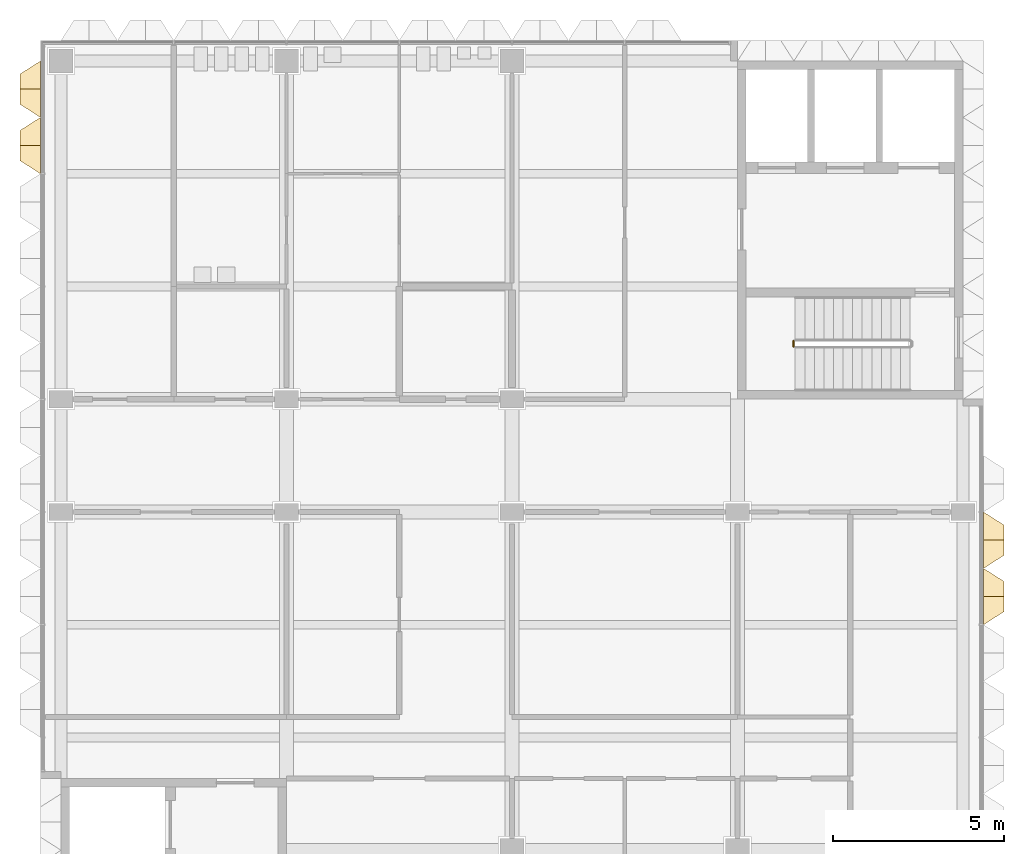
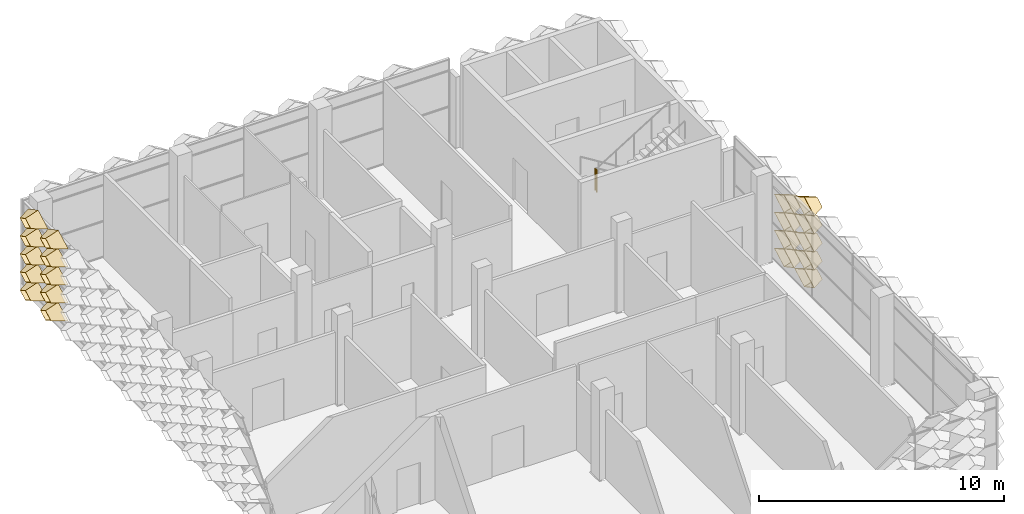
# One storey, part 22 of 29: 19 coverings, 1 railing.
"""IFC4 building model written with IfcOpenShell, lengths in metres."""

from ifc_helpers import new_model, entity, si_unit, direction, frame, origin, origin_2d, place, context, subcontext, project, spatial, circle, extrude, material, layer, layer_set, type_object, element, save


model = new_model("IFC4")

# Units and contexts
model_context = context("Model", 3, precision=1e-05, world=origin(), true_north=direction((0.0, 1.0)))
body_context = subcontext(model_context, "Body", "Model", "MODEL_VIEW")
ifc_project = project(units=[si_unit("LENGTHUNIT", "METRE"), si_unit("AREAUNIT", "SQUARE_METRE"), si_unit("VOLUMEUNIT", "CUBIC_METRE"), si_unit("PLANEANGLEUNIT", "RADIAN"), si_unit("MASSUNIT", "GRAM", prefix="KILO")], contexts=[model_context])

# Site, building, storey
site_placement = place(None, origin())
site = spatial("IfcSite", under=ifc_project, at=site_placement, CompositionType="ELEMENT")
building_placement = place(site_placement, origin())
building = spatial("IfcBuilding", under=site, at=building_placement, Name="Lantern Court Research Institute", CompositionType="ELEMENT")
storey_placement = place(building_placement, frame((0.0, 0.0, 32.39990234375)))
storey = spatial("IfcBuildingStorey", under=building, at=storey_placement, Name="L07", CompositionType="ELEMENT", Elevation=32.39990234375)

# Coverings
ifc_material_1 = material(Name="Anodised aluminium", Category="aluminium")
ifc_layer = layer(ifc_material_1, 0.01611328125)
ifc_layer_set = layer_set([ifc_layer], Name="Anodised aluminium")
covering_type = type_object("IfcCoveringType", Name="Fin cassette 1650 x 900 x 600 aluminium", PredefinedType="CLADDING", material=ifc_layer_set)
covering_1_placement = place(storey_placement, frame((79.800048828125, 7.425048828125, 0.4501953125), z_axis=(1.0, 0.0, 0.0), x_axis=(0.0, 1.0, 0.0)))
cartesian_point_1 = entity("IfcCartesianPoint", [0.824951171875, 0.0])
cartesian_point_2 = entity("IfcCartesianPoint", [0.79150390625, 0.0])
cartesian_point_3 = entity("IfcCartesianPoint", [0.44189453125, 0.0])
cartesian_point_4 = entity("IfcCartesianPoint", [0.43359375, 0.0])
element("IfcCovering", 1, at=covering_1_placement, inside=storey, type_object=covering_type, Name="Fin cassette V5E-L07 1.5", PredefinedType="CLADDING", context=body_context, shape_type="SweptSolid", body=[
    entity("IfcExtrudedAreaSolidTapered", entity("IfcArbitraryProfileDefWithVoids", "AREA", None, entity("IfcPolyline", [cartesian_point_1, entity("IfcCartesianPoint", [0.0, 0.449951171875]), entity("IfcCartesianPoint", [-0.824951171875, 0.0]), entity("IfcCartesianPoint", [0.0, -0.449951171875]), cartesian_point_1]), [entity("IfcPolyline", [cartesian_point_2, entity("IfcCartesianPoint", [0.0, 0.431884765625]), entity("IfcCartesianPoint", [-0.79150390625, 0.0]), entity("IfcCartesianPoint", [0.0, -0.431884765625]), cartesian_point_2])]), entity("IfcAxis2Placement3D", entity("IfcCartesianPoint", [0.0, 0.0, 0.0])), entity("IfcDirection", [0.0, 0.0, 1.0]), 0.60009765625, entity("IfcArbitraryProfileDefWithVoids", "AREA", None, entity("IfcPolyline", [cartesian_point_3, entity("IfcCartesianPoint", [0.0, 0.240966796875]), entity("IfcCartesianPoint", [-0.44189453125, 0.0]), entity("IfcCartesianPoint", [0.0, -0.240966796875]), cartesian_point_3]), [entity("IfcPolyline", [cartesian_point_4, entity("IfcCartesianPoint", [0.0, 0.236572265625]), entity("IfcCartesianPoint", [-0.43359375, 0.0]), entity("IfcCartesianPoint", [0.0, -0.236572265625]), cartesian_point_4])])),
])
covering_2_placement = place(storey_placement, frame((79.800048828125, 9.074951171875, 0.4501953125), z_axis=(1.0, 0.0, 0.0), x_axis=(0.0, 1.0, 0.0)))
cartesian_point_5 = entity("IfcCartesianPoint", [0.824951171875, 0.0])
cartesian_point_6 = entity("IfcCartesianPoint", [0.79150390625, 0.0])
cartesian_point_7 = entity("IfcCartesianPoint", [0.44189453125, 0.0])
cartesian_point_8 = entity("IfcCartesianPoint", [0.43359375, 0.0])
element("IfcCovering", 2, at=covering_2_placement, inside=storey, type_object=covering_type, Name="Fin cassette V5E-L07 1.6", PredefinedType="CLADDING", context=body_context, shape_type="SweptSolid", body=[
    entity("IfcExtrudedAreaSolidTapered", entity("IfcArbitraryProfileDefWithVoids", "AREA", None, entity("IfcPolyline", [cartesian_point_5, entity("IfcCartesianPoint", [0.0, 0.449951171875]), entity("IfcCartesianPoint", [-0.824951171875, 0.0]), entity("IfcCartesianPoint", [0.0, -0.449951171875]), cartesian_point_5]), [entity("IfcPolyline", [cartesian_point_6, entity("IfcCartesianPoint", [0.0, 0.431884765625]), entity("IfcCartesianPoint", [-0.79150390625, 0.0]), entity("IfcCartesianPoint", [0.0, -0.431884765625]), cartesian_point_6])]), entity("IfcAxis2Placement3D", entity("IfcCartesianPoint", [0.0, 0.0, 0.0])), entity("IfcDirection", [0.0, 0.0, 1.0]), 0.60009765625, entity("IfcArbitraryProfileDefWithVoids", "AREA", None, entity("IfcPolyline", [cartesian_point_7, entity("IfcCartesianPoint", [0.0, 0.240966796875]), entity("IfcCartesianPoint", [-0.44189453125, 0.0]), entity("IfcCartesianPoint", [0.0, -0.240966796875]), cartesian_point_7]), [entity("IfcPolyline", [cartesian_point_8, entity("IfcCartesianPoint", [0.0, 0.236572265625]), entity("IfcCartesianPoint", [-0.43359375, 0.0]), entity("IfcCartesianPoint", [0.0, -0.236572265625]), cartesian_point_8])])),
])
covering_3_placement = place(storey_placement, frame((79.800048828125, 7.425048828125, 1.35009765625), z_axis=(1.0, 0.0, 0.0), x_axis=(0.0, 1.0, 0.0)))
cartesian_point_9 = entity("IfcCartesianPoint", [0.824951171875, 0.0])
cartesian_point_10 = entity("IfcCartesianPoint", [0.79150390625, 0.0])
cartesian_point_11 = entity("IfcCartesianPoint", [0.44189453125, 0.0])
cartesian_point_12 = entity("IfcCartesianPoint", [0.43359375, 0.0])
element("IfcCovering", 3, at=covering_3_placement, inside=storey, type_object=covering_type, Name="Fin cassette V5E-L07 2.5", PredefinedType="CLADDING", context=body_context, shape_type="SweptSolid", body=[
    entity("IfcExtrudedAreaSolidTapered", entity("IfcArbitraryProfileDefWithVoids", "AREA", None, entity("IfcPolyline", [cartesian_point_9, entity("IfcCartesianPoint", [0.0, 0.449951171875]), entity("IfcCartesianPoint", [-0.824951171875, 0.0]), entity("IfcCartesianPoint", [0.0, -0.449951171875]), cartesian_point_9]), [entity("IfcPolyline", [cartesian_point_10, entity("IfcCartesianPoint", [0.0, 0.431884765625]), entity("IfcCartesianPoint", [-0.79150390625, 0.0]), entity("IfcCartesianPoint", [0.0, -0.431884765625]), cartesian_point_10])]), entity("IfcAxis2Placement3D", entity("IfcCartesianPoint", [0.0, 0.0, 0.0])), entity("IfcDirection", [0.0, 0.0, 1.0]), 0.60009765625, entity("IfcArbitraryProfileDefWithVoids", "AREA", None, entity("IfcPolyline", [cartesian_point_11, entity("IfcCartesianPoint", [0.0, 0.240966796875]), entity("IfcCartesianPoint", [-0.44189453125, 0.0]), entity("IfcCartesianPoint", [0.0, -0.240966796875]), cartesian_point_11]), [entity("IfcPolyline", [cartesian_point_12, entity("IfcCartesianPoint", [0.0, 0.236572265625]), entity("IfcCartesianPoint", [-0.43359375, 0.0]), entity("IfcCartesianPoint", [0.0, -0.236572265625]), cartesian_point_12])])),
])
covering_4_placement = place(storey_placement, frame((79.800048828125, 9.074951171875, 1.35009765625), z_axis=(1.0, 0.0, 0.0), x_axis=(0.0, 1.0, 0.0)))
cartesian_point_13 = entity("IfcCartesianPoint", [0.824951171875, 0.0])
cartesian_point_14 = entity("IfcCartesianPoint", [0.79150390625, 0.0])
cartesian_point_15 = entity("IfcCartesianPoint", [0.44189453125, 0.0])
cartesian_point_16 = entity("IfcCartesianPoint", [0.43359375, 0.0])
element("IfcCovering", 4, at=covering_4_placement, inside=storey, type_object=covering_type, Name="Fin cassette V5E-L07 2.6", PredefinedType="CLADDING", context=body_context, shape_type="SweptSolid", body=[
    entity("IfcExtrudedAreaSolidTapered", entity("IfcArbitraryProfileDefWithVoids", "AREA", None, entity("IfcPolyline", [cartesian_point_13, entity("IfcCartesianPoint", [0.0, 0.449951171875]), entity("IfcCartesianPoint", [-0.824951171875, 0.0]), entity("IfcCartesianPoint", [0.0, -0.449951171875]), cartesian_point_13]), [entity("IfcPolyline", [cartesian_point_14, entity("IfcCartesianPoint", [0.0, 0.431884765625]), entity("IfcCartesianPoint", [-0.79150390625, 0.0]), entity("IfcCartesianPoint", [0.0, -0.431884765625]), cartesian_point_14])]), entity("IfcAxis2Placement3D", entity("IfcCartesianPoint", [0.0, 0.0, 0.0])), entity("IfcDirection", [0.0, 0.0, 1.0]), 0.60009765625, entity("IfcArbitraryProfileDefWithVoids", "AREA", None, entity("IfcPolyline", [cartesian_point_15, entity("IfcCartesianPoint", [0.0, 0.240966796875]), entity("IfcCartesianPoint", [-0.44189453125, 0.0]), entity("IfcCartesianPoint", [0.0, -0.240966796875]), cartesian_point_15]), [entity("IfcPolyline", [cartesian_point_16, entity("IfcCartesianPoint", [0.0, 0.236572265625]), entity("IfcCartesianPoint", [-0.43359375, 0.0]), entity("IfcCartesianPoint", [0.0, -0.236572265625]), cartesian_point_16])])),
])
covering_5_placement = place(storey_placement, frame((79.800048828125, 7.425048828125, 2.25), z_axis=(1.0, 0.0, 0.0), x_axis=(0.0, 1.0, 0.0)))
cartesian_point_17 = entity("IfcCartesianPoint", [0.824951171875, 0.0])
cartesian_point_18 = entity("IfcCartesianPoint", [0.79150390625, 0.0])
cartesian_point_19 = entity("IfcCartesianPoint", [0.44189453125, 0.0])
cartesian_point_20 = entity("IfcCartesianPoint", [0.43359375, 0.0])
element("IfcCovering", 5, at=covering_5_placement, inside=storey, type_object=covering_type, Name="Fin cassette V5E-L07 3.5", PredefinedType="CLADDING", context=body_context, shape_type="SweptSolid", body=[
    entity("IfcExtrudedAreaSolidTapered", entity("IfcArbitraryProfileDefWithVoids", "AREA", None, entity("IfcPolyline", [cartesian_point_17, entity("IfcCartesianPoint", [0.0, 0.449951171875]), entity("IfcCartesianPoint", [-0.824951171875, 0.0]), entity("IfcCartesianPoint", [0.0, -0.449951171875]), cartesian_point_17]), [entity("IfcPolyline", [cartesian_point_18, entity("IfcCartesianPoint", [0.0, 0.431884765625]), entity("IfcCartesianPoint", [-0.79150390625, 0.0]), entity("IfcCartesianPoint", [0.0, -0.431884765625]), cartesian_point_18])]), entity("IfcAxis2Placement3D", entity("IfcCartesianPoint", [0.0, 0.0, 0.0])), entity("IfcDirection", [0.0, 0.0, 1.0]), 0.60009765625, entity("IfcArbitraryProfileDefWithVoids", "AREA", None, entity("IfcPolyline", [cartesian_point_19, entity("IfcCartesianPoint", [0.0, 0.240966796875]), entity("IfcCartesianPoint", [-0.44189453125, 0.0]), entity("IfcCartesianPoint", [0.0, -0.240966796875]), cartesian_point_19]), [entity("IfcPolyline", [cartesian_point_20, entity("IfcCartesianPoint", [0.0, 0.236572265625]), entity("IfcCartesianPoint", [-0.43359375, 0.0]), entity("IfcCartesianPoint", [0.0, -0.236572265625]), cartesian_point_20])])),
])
covering_6_placement = place(storey_placement, frame((79.800048828125, 9.074951171875, 2.25), z_axis=(1.0, 0.0, 0.0), x_axis=(0.0, 1.0, 0.0)))
cartesian_point_21 = entity("IfcCartesianPoint", [0.824951171875, 0.0])
cartesian_point_22 = entity("IfcCartesianPoint", [0.79150390625, 0.0])
cartesian_point_23 = entity("IfcCartesianPoint", [0.44189453125, 0.0])
cartesian_point_24 = entity("IfcCartesianPoint", [0.43359375, 0.0])
element("IfcCovering", 6, at=covering_6_placement, inside=storey, type_object=covering_type, Name="Fin cassette V5E-L07 3.6", PredefinedType="CLADDING", context=body_context, shape_type="SweptSolid", body=[
    entity("IfcExtrudedAreaSolidTapered", entity("IfcArbitraryProfileDefWithVoids", "AREA", None, entity("IfcPolyline", [cartesian_point_21, entity("IfcCartesianPoint", [0.0, 0.449951171875]), entity("IfcCartesianPoint", [-0.824951171875, 0.0]), entity("IfcCartesianPoint", [0.0, -0.449951171875]), cartesian_point_21]), [entity("IfcPolyline", [cartesian_point_22, entity("IfcCartesianPoint", [0.0, 0.431884765625]), entity("IfcCartesianPoint", [-0.79150390625, 0.0]), entity("IfcCartesianPoint", [0.0, -0.431884765625]), cartesian_point_22])]), entity("IfcAxis2Placement3D", entity("IfcCartesianPoint", [0.0, 0.0, 0.0])), entity("IfcDirection", [0.0, 0.0, 1.0]), 0.60009765625, entity("IfcArbitraryProfileDefWithVoids", "AREA", None, entity("IfcPolyline", [cartesian_point_23, entity("IfcCartesianPoint", [0.0, 0.240966796875]), entity("IfcCartesianPoint", [-0.44189453125, 0.0]), entity("IfcCartesianPoint", [0.0, -0.240966796875]), cartesian_point_23]), [entity("IfcPolyline", [cartesian_point_24, entity("IfcCartesianPoint", [0.0, 0.236572265625]), entity("IfcCartesianPoint", [-0.43359375, 0.0]), entity("IfcCartesianPoint", [0.0, -0.236572265625]), cartesian_point_24])])),
])
covering_7_placement = place(storey_placement, frame((79.800048828125, 7.425048828125, 3.150146484375), z_axis=(1.0, 0.0, 0.0), x_axis=(0.0, 1.0, 0.0)))
cartesian_point_25 = entity("IfcCartesianPoint", [0.824951171875, 0.0])
cartesian_point_26 = entity("IfcCartesianPoint", [0.79150390625, 0.0])
cartesian_point_27 = entity("IfcCartesianPoint", [0.44189453125, 0.0])
cartesian_point_28 = entity("IfcCartesianPoint", [0.43359375, 0.0])
element("IfcCovering", 7, at=covering_7_placement, inside=storey, type_object=covering_type, Name="Fin cassette V5E-L07 4.5", PredefinedType="CLADDING", context=body_context, shape_type="SweptSolid", body=[
    entity("IfcExtrudedAreaSolidTapered", entity("IfcArbitraryProfileDefWithVoids", "AREA", None, entity("IfcPolyline", [cartesian_point_25, entity("IfcCartesianPoint", [0.0, 0.449951171875]), entity("IfcCartesianPoint", [-0.824951171875, 0.0]), entity("IfcCartesianPoint", [0.0, -0.449951171875]), cartesian_point_25]), [entity("IfcPolyline", [cartesian_point_26, entity("IfcCartesianPoint", [0.0, 0.431884765625]), entity("IfcCartesianPoint", [-0.79150390625, 0.0]), entity("IfcCartesianPoint", [0.0, -0.431884765625]), cartesian_point_26])]), entity("IfcAxis2Placement3D", entity("IfcCartesianPoint", [0.0, 0.0, 0.0])), entity("IfcDirection", [0.0, 0.0, 1.0]), 0.60009765625, entity("IfcArbitraryProfileDefWithVoids", "AREA", None, entity("IfcPolyline", [cartesian_point_27, entity("IfcCartesianPoint", [0.0, 0.240966796875]), entity("IfcCartesianPoint", [-0.44189453125, 0.0]), entity("IfcCartesianPoint", [0.0, -0.240966796875]), cartesian_point_27]), [entity("IfcPolyline", [cartesian_point_28, entity("IfcCartesianPoint", [0.0, 0.236572265625]), entity("IfcCartesianPoint", [-0.43359375, 0.0]), entity("IfcCartesianPoint", [0.0, -0.236572265625]), cartesian_point_28])])),
])
covering_8_placement = place(storey_placement, frame((79.800048828125, 9.074951171875, 3.150146484375), z_axis=(1.0, 0.0, 0.0), x_axis=(0.0, 1.0, 0.0)))
cartesian_point_29 = entity("IfcCartesianPoint", [0.824951171875, 0.0])
cartesian_point_30 = entity("IfcCartesianPoint", [0.79150390625, 0.0])
cartesian_point_31 = entity("IfcCartesianPoint", [0.44189453125, 0.0])
cartesian_point_32 = entity("IfcCartesianPoint", [0.43359375, 0.0])
element("IfcCovering", 8, at=covering_8_placement, inside=storey, type_object=covering_type, Name="Fin cassette V5E-L07 4.6", PredefinedType="CLADDING", context=body_context, shape_type="SweptSolid", body=[
    entity("IfcExtrudedAreaSolidTapered", entity("IfcArbitraryProfileDefWithVoids", "AREA", None, entity("IfcPolyline", [cartesian_point_29, entity("IfcCartesianPoint", [0.0, 0.449951171875]), entity("IfcCartesianPoint", [-0.824951171875, 0.0]), entity("IfcCartesianPoint", [0.0, -0.449951171875]), cartesian_point_29]), [entity("IfcPolyline", [cartesian_point_30, entity("IfcCartesianPoint", [0.0, 0.431884765625]), entity("IfcCartesianPoint", [-0.79150390625, 0.0]), entity("IfcCartesianPoint", [0.0, -0.431884765625]), cartesian_point_30])]), entity("IfcAxis2Placement3D", entity("IfcCartesianPoint", [0.0, 0.0, 0.0])), entity("IfcDirection", [0.0, 0.0, 1.0]), 0.60009765625, entity("IfcArbitraryProfileDefWithVoids", "AREA", None, entity("IfcPolyline", [cartesian_point_31, entity("IfcCartesianPoint", [0.0, 0.240966796875]), entity("IfcCartesianPoint", [-0.44189453125, 0.0]), entity("IfcCartesianPoint", [0.0, -0.240966796875]), cartesian_point_31]), [entity("IfcPolyline", [cartesian_point_32, entity("IfcCartesianPoint", [0.0, 0.236572265625]), entity("IfcCartesianPoint", [-0.43359375, 0.0]), entity("IfcCartesianPoint", [0.0, -0.236572265625]), cartesian_point_32])])),
])
covering_9_placement = place(storey_placement, frame((79.800048828125, 7.425048828125, 4.050048828125), z_axis=(1.0, 0.0, 0.0), x_axis=(0.0, 1.0, 0.0)))
cartesian_point_33 = entity("IfcCartesianPoint", [0.824951171875, 0.0])
cartesian_point_34 = entity("IfcCartesianPoint", [0.79150390625, 0.0])
cartesian_point_35 = entity("IfcCartesianPoint", [0.44189453125, 0.0])
cartesian_point_36 = entity("IfcCartesianPoint", [0.43359375, 0.0])
element("IfcCovering", 9, at=covering_9_placement, inside=storey, type_object=covering_type, Name="Fin cassette V5E-L07 5.5", PredefinedType="CLADDING", context=body_context, shape_type="SweptSolid", body=[
    entity("IfcExtrudedAreaSolidTapered", entity("IfcArbitraryProfileDefWithVoids", "AREA", None, entity("IfcPolyline", [cartesian_point_33, entity("IfcCartesianPoint", [0.0, 0.449951171875]), entity("IfcCartesianPoint", [-0.824951171875, 0.0]), entity("IfcCartesianPoint", [0.0, -0.449951171875]), cartesian_point_33]), [entity("IfcPolyline", [cartesian_point_34, entity("IfcCartesianPoint", [0.0, 0.431884765625]), entity("IfcCartesianPoint", [-0.79150390625, 0.0]), entity("IfcCartesianPoint", [0.0, -0.431884765625]), cartesian_point_34])]), entity("IfcAxis2Placement3D", entity("IfcCartesianPoint", [0.0, 0.0, 0.0])), entity("IfcDirection", [0.0, 0.0, 1.0]), 0.60009765625, entity("IfcArbitraryProfileDefWithVoids", "AREA", None, entity("IfcPolyline", [cartesian_point_35, entity("IfcCartesianPoint", [0.0, 0.240966796875]), entity("IfcCartesianPoint", [-0.44189453125, 0.0]), entity("IfcCartesianPoint", [0.0, -0.240966796875]), cartesian_point_35]), [entity("IfcPolyline", [cartesian_point_36, entity("IfcCartesianPoint", [0.0, 0.236572265625]), entity("IfcCartesianPoint", [-0.43359375, 0.0]), entity("IfcCartesianPoint", [0.0, -0.236572265625]), cartesian_point_36])])),
])
covering_10_placement = place(storey_placement, frame((52.199951171875, 20.625, 0.4501953125), z_axis=(-1.0, 0.0, 0.0), x_axis=(0.0, -1.0, 0.0)))
cartesian_point_37 = entity("IfcCartesianPoint", [0.824951171875, 0.0])
cartesian_point_38 = entity("IfcCartesianPoint", [0.79150390625, 0.0])
cartesian_point_39 = entity("IfcCartesianPoint", [0.44189453125, 0.0])
cartesian_point_40 = entity("IfcCartesianPoint", [0.43359375, 0.0])
element("IfcCovering", 10, at=covering_10_placement, inside=storey, type_object=covering_type, Name="Fin cassette V5W-L07 1.13", PredefinedType="CLADDING", context=body_context, shape_type="SweptSolid", body=[
    entity("IfcExtrudedAreaSolidTapered", entity("IfcArbitraryProfileDefWithVoids", "AREA", None, entity("IfcPolyline", [cartesian_point_37, entity("IfcCartesianPoint", [0.0, 0.449951171875]), entity("IfcCartesianPoint", [-0.824951171875, 0.0]), entity("IfcCartesianPoint", [0.0, -0.449951171875]), cartesian_point_37]), [entity("IfcPolyline", [cartesian_point_38, entity("IfcCartesianPoint", [0.0, 0.431884765625]), entity("IfcCartesianPoint", [-0.79150390625, 0.0]), entity("IfcCartesianPoint", [0.0, -0.431884765625]), cartesian_point_38])]), entity("IfcAxis2Placement3D", entity("IfcCartesianPoint", [0.0, 0.0, 0.0])), entity("IfcDirection", [0.0, 0.0, 1.0]), 0.60009765625, entity("IfcArbitraryProfileDefWithVoids", "AREA", None, entity("IfcPolyline", [cartesian_point_39, entity("IfcCartesianPoint", [0.0, 0.240966796875]), entity("IfcCartesianPoint", [-0.44189453125, 0.0]), entity("IfcCartesianPoint", [0.0, -0.240966796875]), cartesian_point_39]), [entity("IfcPolyline", [cartesian_point_40, entity("IfcCartesianPoint", [0.0, 0.236572265625]), entity("IfcCartesianPoint", [-0.43359375, 0.0]), entity("IfcCartesianPoint", [0.0, -0.236572265625]), cartesian_point_40])])),
])
covering_11_placement = place(storey_placement, frame((52.199951171875, 22.27490234375, 0.4501953125), z_axis=(-1.0, 0.0, 0.0), x_axis=(0.0, -1.0, 0.0)))
cartesian_point_41 = entity("IfcCartesianPoint", [0.824951171875, 0.0])
cartesian_point_42 = entity("IfcCartesianPoint", [0.79150390625, 0.0])
cartesian_point_43 = entity("IfcCartesianPoint", [0.44189453125, 0.0])
cartesian_point_44 = entity("IfcCartesianPoint", [0.43359375, 0.0])
element("IfcCovering", 11, at=covering_11_placement, inside=storey, type_object=covering_type, Name="Fin cassette V5W-L07 1.14", PredefinedType="CLADDING", context=body_context, shape_type="SweptSolid", body=[
    entity("IfcExtrudedAreaSolidTapered", entity("IfcArbitraryProfileDefWithVoids", "AREA", None, entity("IfcPolyline", [cartesian_point_41, entity("IfcCartesianPoint", [0.0, 0.449951171875]), entity("IfcCartesianPoint", [-0.824951171875, 0.0]), entity("IfcCartesianPoint", [0.0, -0.449951171875]), cartesian_point_41]), [entity("IfcPolyline", [cartesian_point_42, entity("IfcCartesianPoint", [0.0, 0.431884765625]), entity("IfcCartesianPoint", [-0.79150390625, 0.0]), entity("IfcCartesianPoint", [0.0, -0.431884765625]), cartesian_point_42])]), entity("IfcAxis2Placement3D", entity("IfcCartesianPoint", [0.0, 0.0, 0.0])), entity("IfcDirection", [0.0, 0.0, 1.0]), 0.60009765625, entity("IfcArbitraryProfileDefWithVoids", "AREA", None, entity("IfcPolyline", [cartesian_point_43, entity("IfcCartesianPoint", [0.0, 0.240966796875]), entity("IfcCartesianPoint", [-0.44189453125, 0.0]), entity("IfcCartesianPoint", [0.0, -0.240966796875]), cartesian_point_43]), [entity("IfcPolyline", [cartesian_point_44, entity("IfcCartesianPoint", [0.0, 0.236572265625]), entity("IfcCartesianPoint", [-0.43359375, 0.0]), entity("IfcCartesianPoint", [0.0, -0.236572265625]), cartesian_point_44])])),
])
covering_12_placement = place(storey_placement, frame((52.199951171875, 20.625, 1.35009765625), z_axis=(-1.0, 0.0, 0.0), x_axis=(0.0, -1.0, 0.0)))
cartesian_point_45 = entity("IfcCartesianPoint", [0.824951171875, 0.0])
cartesian_point_46 = entity("IfcCartesianPoint", [0.79150390625, 0.0])
cartesian_point_47 = entity("IfcCartesianPoint", [0.44189453125, 0.0])
cartesian_point_48 = entity("IfcCartesianPoint", [0.43359375, 0.0])
element("IfcCovering", 12, at=covering_12_placement, inside=storey, type_object=covering_type, Name="Fin cassette V5W-L07 2.13", PredefinedType="CLADDING", context=body_context, shape_type="SweptSolid", body=[
    entity("IfcExtrudedAreaSolidTapered", entity("IfcArbitraryProfileDefWithVoids", "AREA", None, entity("IfcPolyline", [cartesian_point_45, entity("IfcCartesianPoint", [0.0, 0.449951171875]), entity("IfcCartesianPoint", [-0.824951171875, 0.0]), entity("IfcCartesianPoint", [0.0, -0.449951171875]), cartesian_point_45]), [entity("IfcPolyline", [cartesian_point_46, entity("IfcCartesianPoint", [0.0, 0.431884765625]), entity("IfcCartesianPoint", [-0.79150390625, 0.0]), entity("IfcCartesianPoint", [0.0, -0.431884765625]), cartesian_point_46])]), entity("IfcAxis2Placement3D", entity("IfcCartesianPoint", [0.0, 0.0, 0.0])), entity("IfcDirection", [0.0, 0.0, 1.0]), 0.60009765625, entity("IfcArbitraryProfileDefWithVoids", "AREA", None, entity("IfcPolyline", [cartesian_point_47, entity("IfcCartesianPoint", [0.0, 0.240966796875]), entity("IfcCartesianPoint", [-0.44189453125, 0.0]), entity("IfcCartesianPoint", [0.0, -0.240966796875]), cartesian_point_47]), [entity("IfcPolyline", [cartesian_point_48, entity("IfcCartesianPoint", [0.0, 0.236572265625]), entity("IfcCartesianPoint", [-0.43359375, 0.0]), entity("IfcCartesianPoint", [0.0, -0.236572265625]), cartesian_point_48])])),
])
covering_13_placement = place(storey_placement, frame((52.199951171875, 22.27490234375, 1.35009765625), z_axis=(-1.0, 0.0, 0.0), x_axis=(0.0, -1.0, 0.0)))
cartesian_point_49 = entity("IfcCartesianPoint", [0.824951171875, 0.0])
cartesian_point_50 = entity("IfcCartesianPoint", [0.79150390625, 0.0])
cartesian_point_51 = entity("IfcCartesianPoint", [0.44189453125, 0.0])
cartesian_point_52 = entity("IfcCartesianPoint", [0.43359375, 0.0])
element("IfcCovering", 13, at=covering_13_placement, inside=storey, type_object=covering_type, Name="Fin cassette V5W-L07 2.14", PredefinedType="CLADDING", context=body_context, shape_type="SweptSolid", body=[
    entity("IfcExtrudedAreaSolidTapered", entity("IfcArbitraryProfileDefWithVoids", "AREA", None, entity("IfcPolyline", [cartesian_point_49, entity("IfcCartesianPoint", [0.0, 0.449951171875]), entity("IfcCartesianPoint", [-0.824951171875, 0.0]), entity("IfcCartesianPoint", [0.0, -0.449951171875]), cartesian_point_49]), [entity("IfcPolyline", [cartesian_point_50, entity("IfcCartesianPoint", [0.0, 0.431884765625]), entity("IfcCartesianPoint", [-0.79150390625, 0.0]), entity("IfcCartesianPoint", [0.0, -0.431884765625]), cartesian_point_50])]), entity("IfcAxis2Placement3D", entity("IfcCartesianPoint", [0.0, 0.0, 0.0])), entity("IfcDirection", [0.0, 0.0, 1.0]), 0.60009765625, entity("IfcArbitraryProfileDefWithVoids", "AREA", None, entity("IfcPolyline", [cartesian_point_51, entity("IfcCartesianPoint", [0.0, 0.240966796875]), entity("IfcCartesianPoint", [-0.44189453125, 0.0]), entity("IfcCartesianPoint", [0.0, -0.240966796875]), cartesian_point_51]), [entity("IfcPolyline", [cartesian_point_52, entity("IfcCartesianPoint", [0.0, 0.236572265625]), entity("IfcCartesianPoint", [-0.43359375, 0.0]), entity("IfcCartesianPoint", [0.0, -0.236572265625]), cartesian_point_52])])),
])
covering_14_placement = place(storey_placement, frame((52.199951171875, 20.625, 2.25), z_axis=(-1.0, 0.0, 0.0), x_axis=(0.0, -1.0, 0.0)))
cartesian_point_53 = entity("IfcCartesianPoint", [0.824951171875, 0.0])
cartesian_point_54 = entity("IfcCartesianPoint", [0.79150390625, 0.0])
cartesian_point_55 = entity("IfcCartesianPoint", [0.44189453125, 0.0])
cartesian_point_56 = entity("IfcCartesianPoint", [0.43359375, 0.0])
element("IfcCovering", 14, at=covering_14_placement, inside=storey, type_object=covering_type, Name="Fin cassette V5W-L07 3.13", PredefinedType="CLADDING", context=body_context, shape_type="SweptSolid", body=[
    entity("IfcExtrudedAreaSolidTapered", entity("IfcArbitraryProfileDefWithVoids", "AREA", None, entity("IfcPolyline", [cartesian_point_53, entity("IfcCartesianPoint", [0.0, 0.449951171875]), entity("IfcCartesianPoint", [-0.824951171875, 0.0]), entity("IfcCartesianPoint", [0.0, -0.449951171875]), cartesian_point_53]), [entity("IfcPolyline", [cartesian_point_54, entity("IfcCartesianPoint", [0.0, 0.431884765625]), entity("IfcCartesianPoint", [-0.79150390625, 0.0]), entity("IfcCartesianPoint", [0.0, -0.431884765625]), cartesian_point_54])]), entity("IfcAxis2Placement3D", entity("IfcCartesianPoint", [0.0, 0.0, 0.0])), entity("IfcDirection", [0.0, 0.0, 1.0]), 0.60009765625, entity("IfcArbitraryProfileDefWithVoids", "AREA", None, entity("IfcPolyline", [cartesian_point_55, entity("IfcCartesianPoint", [0.0, 0.240966796875]), entity("IfcCartesianPoint", [-0.44189453125, 0.0]), entity("IfcCartesianPoint", [0.0, -0.240966796875]), cartesian_point_55]), [entity("IfcPolyline", [cartesian_point_56, entity("IfcCartesianPoint", [0.0, 0.236572265625]), entity("IfcCartesianPoint", [-0.43359375, 0.0]), entity("IfcCartesianPoint", [0.0, -0.236572265625]), cartesian_point_56])])),
])
covering_15_placement = place(storey_placement, frame((52.199951171875, 22.27490234375, 2.25), z_axis=(-1.0, 0.0, 0.0), x_axis=(0.0, -1.0, 0.0)))
cartesian_point_57 = entity("IfcCartesianPoint", [0.824951171875, 0.0])
cartesian_point_58 = entity("IfcCartesianPoint", [0.79150390625, 0.0])
cartesian_point_59 = entity("IfcCartesianPoint", [0.44189453125, 0.0])
cartesian_point_60 = entity("IfcCartesianPoint", [0.43359375, 0.0])
element("IfcCovering", 15, at=covering_15_placement, inside=storey, type_object=covering_type, Name="Fin cassette V5W-L07 3.14", PredefinedType="CLADDING", context=body_context, shape_type="SweptSolid", body=[
    entity("IfcExtrudedAreaSolidTapered", entity("IfcArbitraryProfileDefWithVoids", "AREA", None, entity("IfcPolyline", [cartesian_point_57, entity("IfcCartesianPoint", [0.0, 0.449951171875]), entity("IfcCartesianPoint", [-0.824951171875, 0.0]), entity("IfcCartesianPoint", [0.0, -0.449951171875]), cartesian_point_57]), [entity("IfcPolyline", [cartesian_point_58, entity("IfcCartesianPoint", [0.0, 0.431884765625]), entity("IfcCartesianPoint", [-0.79150390625, 0.0]), entity("IfcCartesianPoint", [0.0, -0.431884765625]), cartesian_point_58])]), entity("IfcAxis2Placement3D", entity("IfcCartesianPoint", [0.0, 0.0, 0.0])), entity("IfcDirection", [0.0, 0.0, 1.0]), 0.60009765625, entity("IfcArbitraryProfileDefWithVoids", "AREA", None, entity("IfcPolyline", [cartesian_point_59, entity("IfcCartesianPoint", [0.0, 0.240966796875]), entity("IfcCartesianPoint", [-0.44189453125, 0.0]), entity("IfcCartesianPoint", [0.0, -0.240966796875]), cartesian_point_59]), [entity("IfcPolyline", [cartesian_point_60, entity("IfcCartesianPoint", [0.0, 0.236572265625]), entity("IfcCartesianPoint", [-0.43359375, 0.0]), entity("IfcCartesianPoint", [0.0, -0.236572265625]), cartesian_point_60])])),
])
covering_16_placement = place(storey_placement, frame((52.199951171875, 20.625, 3.150146484375), z_axis=(-1.0, 0.0, 0.0), x_axis=(0.0, -1.0, 0.0)))
cartesian_point_61 = entity("IfcCartesianPoint", [0.824951171875, 0.0])
cartesian_point_62 = entity("IfcCartesianPoint", [0.79150390625, 0.0])
cartesian_point_63 = entity("IfcCartesianPoint", [0.44189453125, 0.0])
cartesian_point_64 = entity("IfcCartesianPoint", [0.43359375, 0.0])
element("IfcCovering", 16, at=covering_16_placement, inside=storey, type_object=covering_type, Name="Fin cassette V5W-L07 4.13", PredefinedType="CLADDING", context=body_context, shape_type="SweptSolid", body=[
    entity("IfcExtrudedAreaSolidTapered", entity("IfcArbitraryProfileDefWithVoids", "AREA", None, entity("IfcPolyline", [cartesian_point_61, entity("IfcCartesianPoint", [0.0, 0.449951171875]), entity("IfcCartesianPoint", [-0.824951171875, 0.0]), entity("IfcCartesianPoint", [0.0, -0.449951171875]), cartesian_point_61]), [entity("IfcPolyline", [cartesian_point_62, entity("IfcCartesianPoint", [0.0, 0.431884765625]), entity("IfcCartesianPoint", [-0.79150390625, 0.0]), entity("IfcCartesianPoint", [0.0, -0.431884765625]), cartesian_point_62])]), entity("IfcAxis2Placement3D", entity("IfcCartesianPoint", [0.0, 0.0, 0.0])), entity("IfcDirection", [0.0, 0.0, 1.0]), 0.60009765625, entity("IfcArbitraryProfileDefWithVoids", "AREA", None, entity("IfcPolyline", [cartesian_point_63, entity("IfcCartesianPoint", [0.0, 0.240966796875]), entity("IfcCartesianPoint", [-0.44189453125, 0.0]), entity("IfcCartesianPoint", [0.0, -0.240966796875]), cartesian_point_63]), [entity("IfcPolyline", [cartesian_point_64, entity("IfcCartesianPoint", [0.0, 0.236572265625]), entity("IfcCartesianPoint", [-0.43359375, 0.0]), entity("IfcCartesianPoint", [0.0, -0.236572265625]), cartesian_point_64])])),
])
covering_17_placement = place(storey_placement, frame((52.199951171875, 22.27490234375, 3.150146484375), z_axis=(-1.0, 0.0, 0.0), x_axis=(0.0, -1.0, 0.0)))
cartesian_point_65 = entity("IfcCartesianPoint", [0.824951171875, 0.0])
cartesian_point_66 = entity("IfcCartesianPoint", [0.79150390625, 0.0])
cartesian_point_67 = entity("IfcCartesianPoint", [0.44189453125, 0.0])
cartesian_point_68 = entity("IfcCartesianPoint", [0.43359375, 0.0])
element("IfcCovering", 17, at=covering_17_placement, inside=storey, type_object=covering_type, Name="Fin cassette V5W-L07 4.14", PredefinedType="CLADDING", context=body_context, shape_type="SweptSolid", body=[
    entity("IfcExtrudedAreaSolidTapered", entity("IfcArbitraryProfileDefWithVoids", "AREA", None, entity("IfcPolyline", [cartesian_point_65, entity("IfcCartesianPoint", [0.0, 0.449951171875]), entity("IfcCartesianPoint", [-0.824951171875, 0.0]), entity("IfcCartesianPoint", [0.0, -0.449951171875]), cartesian_point_65]), [entity("IfcPolyline", [cartesian_point_66, entity("IfcCartesianPoint", [0.0, 0.431884765625]), entity("IfcCartesianPoint", [-0.79150390625, 0.0]), entity("IfcCartesianPoint", [0.0, -0.431884765625]), cartesian_point_66])]), entity("IfcAxis2Placement3D", entity("IfcCartesianPoint", [0.0, 0.0, 0.0])), entity("IfcDirection", [0.0, 0.0, 1.0]), 0.60009765625, entity("IfcArbitraryProfileDefWithVoids", "AREA", None, entity("IfcPolyline", [cartesian_point_67, entity("IfcCartesianPoint", [0.0, 0.240966796875]), entity("IfcCartesianPoint", [-0.44189453125, 0.0]), entity("IfcCartesianPoint", [0.0, -0.240966796875]), cartesian_point_67]), [entity("IfcPolyline", [cartesian_point_68, entity("IfcCartesianPoint", [0.0, 0.236572265625]), entity("IfcCartesianPoint", [-0.43359375, 0.0]), entity("IfcCartesianPoint", [0.0, -0.236572265625]), cartesian_point_68])])),
])
covering_18_placement = place(storey_placement, frame((52.199951171875, 20.625, 4.050048828125), z_axis=(-1.0, 0.0, 0.0), x_axis=(0.0, -1.0, 0.0)))
cartesian_point_69 = entity("IfcCartesianPoint", [0.824951171875, 0.0])
cartesian_point_70 = entity("IfcCartesianPoint", [0.79150390625, 0.0])
cartesian_point_71 = entity("IfcCartesianPoint", [0.44189453125, 0.0])
cartesian_point_72 = entity("IfcCartesianPoint", [0.43359375, 0.0])
element("IfcCovering", 18, at=covering_18_placement, inside=storey, type_object=covering_type, Name="Fin cassette V5W-L07 5.13", PredefinedType="CLADDING", context=body_context, shape_type="SweptSolid", body=[
    entity("IfcExtrudedAreaSolidTapered", entity("IfcArbitraryProfileDefWithVoids", "AREA", None, entity("IfcPolyline", [cartesian_point_69, entity("IfcCartesianPoint", [0.0, 0.449951171875]), entity("IfcCartesianPoint", [-0.824951171875, 0.0]), entity("IfcCartesianPoint", [0.0, -0.449951171875]), cartesian_point_69]), [entity("IfcPolyline", [cartesian_point_70, entity("IfcCartesianPoint", [0.0, 0.431884765625]), entity("IfcCartesianPoint", [-0.79150390625, 0.0]), entity("IfcCartesianPoint", [0.0, -0.431884765625]), cartesian_point_70])]), entity("IfcAxis2Placement3D", entity("IfcCartesianPoint", [0.0, 0.0, 0.0])), entity("IfcDirection", [0.0, 0.0, 1.0]), 0.60009765625, entity("IfcArbitraryProfileDefWithVoids", "AREA", None, entity("IfcPolyline", [cartesian_point_71, entity("IfcCartesianPoint", [0.0, 0.240966796875]), entity("IfcCartesianPoint", [-0.44189453125, 0.0]), entity("IfcCartesianPoint", [0.0, -0.240966796875]), cartesian_point_71]), [entity("IfcPolyline", [cartesian_point_72, entity("IfcCartesianPoint", [0.0, 0.236572265625]), entity("IfcCartesianPoint", [-0.43359375, 0.0]), entity("IfcCartesianPoint", [0.0, -0.236572265625]), cartesian_point_72])])),
])
covering_19_placement = place(storey_placement, frame((52.199951171875, 22.27490234375, 4.050048828125), z_axis=(-1.0, 0.0, 0.0), x_axis=(0.0, -1.0, 0.0)))
cartesian_point_73 = entity("IfcCartesianPoint", [0.824951171875, 0.0])
cartesian_point_74 = entity("IfcCartesianPoint", [0.79150390625, 0.0])
cartesian_point_75 = entity("IfcCartesianPoint", [0.44189453125, 0.0])
cartesian_point_76 = entity("IfcCartesianPoint", [0.43359375, 0.0])
element("IfcCovering", 19, at=covering_19_placement, inside=storey, type_object=covering_type, Name="Fin cassette V5W-L07 5.14", PredefinedType="CLADDING", context=body_context, shape_type="SweptSolid", body=[
    entity("IfcExtrudedAreaSolidTapered", entity("IfcArbitraryProfileDefWithVoids", "AREA", None, entity("IfcPolyline", [cartesian_point_73, entity("IfcCartesianPoint", [0.0, 0.449951171875]), entity("IfcCartesianPoint", [-0.824951171875, 0.0]), entity("IfcCartesianPoint", [0.0, -0.449951171875]), cartesian_point_73]), [entity("IfcPolyline", [cartesian_point_74, entity("IfcCartesianPoint", [0.0, 0.431884765625]), entity("IfcCartesianPoint", [-0.79150390625, 0.0]), entity("IfcCartesianPoint", [0.0, -0.431884765625]), cartesian_point_74])]), entity("IfcAxis2Placement3D", entity("IfcCartesianPoint", [0.0, 0.0, 0.0])), entity("IfcDirection", [0.0, 0.0, 1.0]), 0.60009765625, entity("IfcArbitraryProfileDefWithVoids", "AREA", None, entity("IfcPolyline", [cartesian_point_75, entity("IfcCartesianPoint", [0.0, 0.240966796875]), entity("IfcCartesianPoint", [-0.44189453125, 0.0]), entity("IfcCartesianPoint", [0.0, -0.240966796875]), cartesian_point_75]), [entity("IfcPolyline", [cartesian_point_76, entity("IfcCartesianPoint", [0.0, 0.236572265625]), entity("IfcCartesianPoint", [-0.43359375, 0.0]), entity("IfcCartesianPoint", [0.0, -0.236572265625]), cartesian_point_76])])),
])

# Railing
ifc_material_2 = material(Name="Structural steel S355", Category="steel")
railing_type = type_object("IfcRailingType", Name="Stair guard 1100 steel", PredefinedType="GUARDRAIL", material=ifc_material_2)
railing_placement = place(storey_placement, frame((74.239990234375, 14.89990234375, 2.25)))
element("IfcRailing", 20, at=railing_placement, inside=storey, type_object=railing_type, Name="L07 ST-T2 stair guard 2", PredefinedType="GUARDRAIL", context=body_context, shape_type="SweptSolid", body=[
    extrude(circle(Radius=0.02392578125, at=origin_2d()), frame((0.0, 0.0, 1.076171875), z_axis=(0.0, -1.0, 0.0), x_axis=(1.0, 0.0, 0.0)), (0.0, 0.0, 1.0), 0.14990234375),
    extrude(circle(Radius=0.02099609375, at=origin_2d()), origin(), (0.0, 0.0, 1.0), 1.052001953125),
    extrude(circle(Radius=0.02099609375, at=origin_2d()), frame((0.0, -0.14990234375, 0.0)), (0.0, 0.0, 1.0), 1.052001953125),
])

save(model, "model.ifc")
